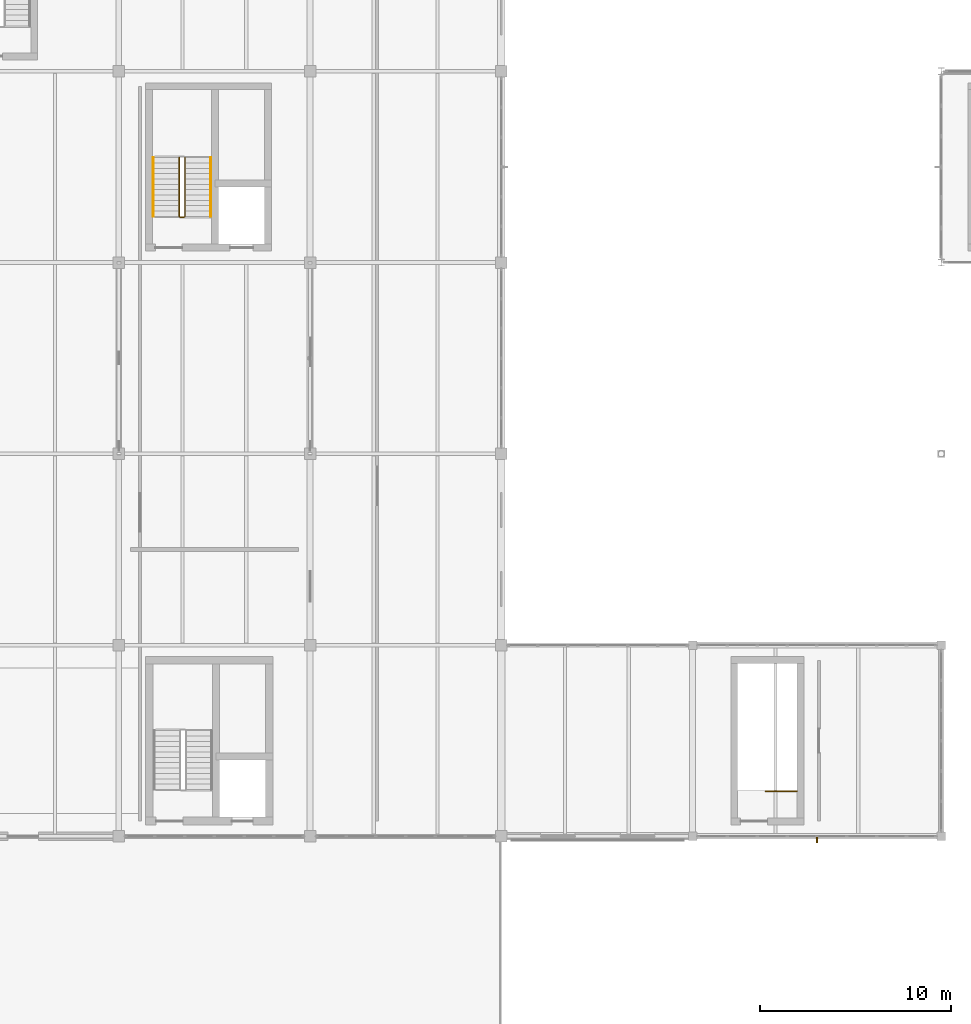
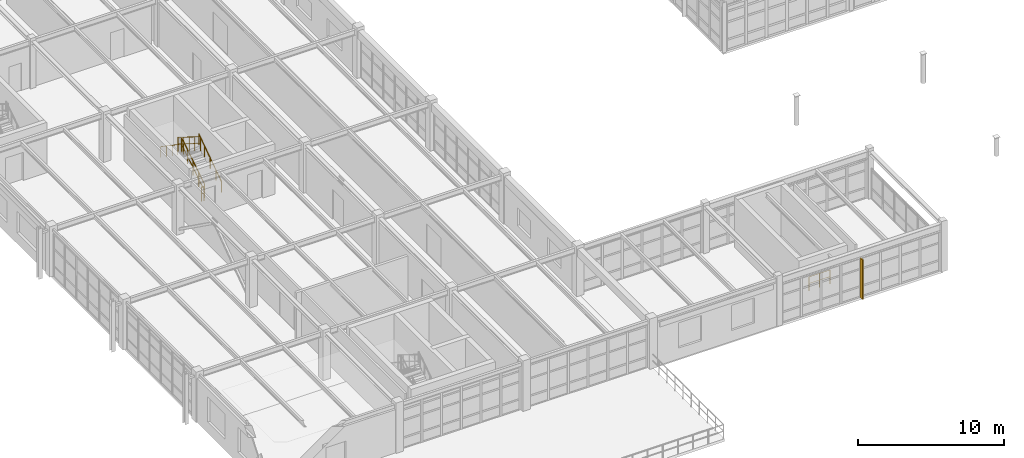
# One storey, part 113 of 122: 6 railings, 1 shading device.
"""IFC4 building model written with IfcOpenShell, lengths in metres."""

from ifc_helpers import new_model, si_unit, direction, frame, origin, origin_2d, place, context, subcontext, project, spatial, rectangle, circle, extrude, material, type_object, element, save


model = new_model("IFC4")

# Units and contexts
model_context = context("Model", 3, precision=1e-05, world=origin(), true_north=direction((0.0, 1.0)))
body_context = subcontext(model_context, "Body", "Model", "MODEL_VIEW")
ifc_project = project(units=[si_unit("LENGTHUNIT", "METRE"), si_unit("AREAUNIT", "SQUARE_METRE"), si_unit("VOLUMEUNIT", "CUBIC_METRE"), si_unit("PLANEANGLEUNIT", "RADIAN"), si_unit("MASSUNIT", "GRAM", prefix="KILO"), si_unit("THERMODYNAMICTEMPERATUREUNIT", "KELVIN"), si_unit("POWERUNIT", "WATT")], contexts=[model_context])

# Site, building, storey
site_placement = place(None, origin())
site = spatial("IfcSite", under=ifc_project, at=site_placement, CompositionType="ELEMENT")
building_placement = place(site_placement, origin())
building = spatial("IfcBuilding", under=site, at=building_placement, Name="Korenveer Ferry Terminal", CompositionType="ELEMENT")
storey_placement = place(building_placement, frame((0.0, 0.0, 10.199951171875)))
storey = spatial("IfcBuildingStorey", under=building, at=storey_placement, Name="L02", CompositionType="ELEMENT", Elevation=10.199951171875)

# Shading device
ifc_material_1 = material(Name="Anodised bronze aluminium solar fin", Category="aluminium")
shading_device_type = type_object("IfcShadingDeviceType", Name="ENV-SHD-FIN", PredefinedType="JALOUSIE", material=ifc_material_1)
shading_device_placement = place(storey_placement, frame((46.5, 19.840087890625, -0.02001953125), z_axis=(0.0, 0.0, 1.0), x_axis=(0.0, 1.0, 0.0)))
element("IfcShadingDevice", 1, at=shading_device_placement, inside=storey, type_object=shading_device_type, Name="Gothic solar fin 38", PredefinedType="JALOUSIE", context=body_context, shape_type="SweptSolid", body=[
    extrude(rectangle(XDim=0.360107421875, YDim=0.080078125, at=origin_2d()), origin(), (0.0, 0.0, 1.0), 3.300048828125),
])

# Railings
ifc_material_2 = material(Name="Brushed stainless steel handrail", Category="steel")
railing_type_1 = type_object("IfcRailingType", Name="INT-RL-HND90", PredefinedType="HANDRAIL", material=ifc_material_2)
railing_1_placement = place(storey_placement, frame((14.81005859375, 52.409912109375, 0.175048828125)))
element("IfcRailing", 2, at=railing_1_placement, inside=storey, type_object=railing_type_1, Name="L02 ST02 stair handrail 1", PredefinedType="HANDRAIL", context=body_context, shape_type="SweptSolid", body=[
    extrude(circle(Radius=0.02392578125, at=origin_2d()), frame((0.0, 0.0, 0.8759765625), z_axis=(0.0, 0.826221800596, 0.563344953133), x_axis=(-1.0, 0.0, 0.0)), (0.0, 0.0, 1.0), 3.72802734375),
    extrude(circle(Radius=0.02099609375, at=origin_2d()), origin(), (0.0, 0.0, 1.0), 0.851806640625),
    extrude(circle(Radius=0.02099609375, at=origin_2d()), frame((0.0, 0.77001953125, 0.52490234375)), (0.0, 0.0, 1.0), 0.851806640625),
    extrude(circle(Radius=0.02099609375, at=origin_2d()), frame((0.0, 1.5400390625, 1.050048828125)), (0.0, 0.0, 1.0), 0.851806640625),
    extrude(circle(Radius=0.02099609375, at=origin_2d()), frame((0.0, 2.31005859375, 1.5751953125)), (0.0, 0.0, 1.0), 0.851806640625),
    extrude(circle(Radius=0.02099609375, at=origin_2d()), frame((0.0, 3.080078125, 2.10009765625)), (0.0, 0.0, 1.0), 0.851806640625),
])
railing_2_placement = place(storey_placement, frame((11.81005859375, 55.489990234375, 2.275146484375)))
element("IfcRailing", 3, at=railing_2_placement, inside=storey, type_object=railing_type_1, Name="L02 ST02 stair handrail 2", PredefinedType="HANDRAIL", context=body_context, shape_type="SweptSolid", body=[
    extrude(circle(Radius=0.02392578125, at=origin_2d()), frame((0.0, 0.0, 0.8759765625), z_axis=(0.0, -0.826252282691, 0.563300244406), x_axis=(1.0, 0.0, 0.0)), (0.0, 0.0, 1.0), 3.727783203125),
    extrude(circle(Radius=0.02099609375, at=origin_2d()), origin(), (0.0, 0.0, 1.0), 0.851806640625),
    extrude(circle(Radius=0.02099609375, at=origin_2d()), frame((0.0, -0.77001953125, 0.52490234375)), (0.0, 0.0, 1.0), 0.851806640625),
    extrude(circle(Radius=0.02099609375, at=origin_2d()), frame((0.0, -1.5400390625, 1.0498046875)), (0.0, 0.0, 1.0), 0.851806640625),
    extrude(circle(Radius=0.02099609375, at=origin_2d()), frame((0.0, -2.31005859375, 1.574951171875)), (0.0, 0.0, 1.0), 0.851806640625),
    extrude(circle(Radius=0.02099609375, at=origin_2d()), frame((0.0, -3.080078125, 2.099853515625)), (0.0, 0.0, 1.0), 0.851806640625),
])
ifc_material_3 = material(Name="Painted steel stair guard", Category="steel")
railing_type_2 = type_object("IfcRailingType", Name="INT-RL-STGRD", PredefinedType="GUARDRAIL", material=ifc_material_3)
railing_3_placement = place(storey_placement, frame((13.4599609375, 52.409912109375, 0.175048828125)))
element("IfcRailing", 4, at=railing_3_placement, inside=storey, type_object=railing_type_2, Name="L02 ST02 stair guard 1", PredefinedType="GUARDRAIL", context=body_context, shape_type="SweptSolid", body=[
    extrude(circle(Radius=0.02392578125, at=origin_2d()), frame((0.0, 0.0, 1.17578125), z_axis=(0.0, 0.847998304005, 0.529998940003), x_axis=(-1.0, 0.0, 0.0)), (0.0, 0.0, 1.0), 3.632080078125),
    extrude(circle(Radius=0.01806640625, at=origin_2d()), frame((0.0, 0.0, 0.6240234375), z_axis=(0.0, 0.847998304005, 0.529998940003), x_axis=(-1.0, 0.0, 0.0)), (0.0, 0.0, 1.0), 3.632080078125),
    extrude(circle(Radius=0.02099609375, at=origin_2d()), origin(), (0.0, 0.0, 1.0), 1.15185546875),
    extrude(circle(Radius=0.02099609375, at=origin_2d()), frame((0.0, 0.77001953125, 0.481201171875)), (0.0, 0.0, 1.0), 1.15185546875),
    extrude(circle(Radius=0.02099609375, at=origin_2d()), frame((0.0, 1.5400390625, 0.96240234375)), (0.0, 0.0, 1.0), 1.15185546875),
    extrude(circle(Radius=0.02099609375, at=origin_2d()), frame((0.0, 2.31005859375, 1.44384765625)), (0.0, 0.0, 1.0), 1.15185546875),
    extrude(circle(Radius=0.02099609375, at=origin_2d()), frame((0.0, 3.080078125, 1.925048828125)), (0.0, 0.0, 1.0), 1.15185546875),
])
railing_4_placement = place(storey_placement, frame((13.159912109375, 55.489990234375, 2.275146484375)))
element("IfcRailing", 5, at=railing_4_placement, inside=storey, type_object=railing_type_2, Name="L02 ST02 stair guard 3", PredefinedType="GUARDRAIL", context=body_context, shape_type="SweptSolid", body=[
    extrude(circle(Radius=0.02392578125, at=origin_2d()), frame((0.0, 0.0, 1.17578125), z_axis=(0.0, -0.848028513186, 0.529950602248), x_axis=(1.0, 0.0, 0.0)), (0.0, 0.0, 1.0), 3.632080078125),
    extrude(circle(Radius=0.01806640625, at=origin_2d()), frame((0.0, 0.0, 0.6240234375), z_axis=(0.0, -0.848028513186, 0.529950602248), x_axis=(1.0, 0.0, 0.0)), (0.0, 0.0, 1.0), 3.632080078125),
    extrude(circle(Radius=0.02099609375, at=origin_2d()), origin(), (0.0, 0.0, 1.0), 1.15185546875),
    extrude(circle(Radius=0.02099609375, at=origin_2d()), frame((0.0, -0.77001953125, 0.481201171875)), (0.0, 0.0, 1.0), 1.15185546875),
    extrude(circle(Radius=0.02099609375, at=origin_2d()), frame((0.0, -1.5400390625, 0.96240234375)), (0.0, 0.0, 1.0), 1.15185546875),
    extrude(circle(Radius=0.02099609375, at=origin_2d()), frame((0.0, -2.31005859375, 1.443603515625)), (0.0, 0.0, 1.0), 1.15185546875),
    extrude(circle(Radius=0.02099609375, at=origin_2d()), frame((0.0, -3.080078125, 1.9248046875)), (0.0, 0.0, 1.0), 1.15185546875),
])
railing_5_placement = place(storey_placement, frame((13.409912109375, 52.360107421875, 0.0)))
element("IfcRailing", 6, at=railing_5_placement, inside=storey, type_object=railing_type_2, Name="L02 ST02 stair guard 4", PredefinedType="GUARDRAIL", context=body_context, shape_type="SweptSolid", body=[
    extrude(circle(Radius=0.02392578125, at=origin_2d()), frame((0.0, 0.0, 1.17578125), z_axis=(-1.0, 0.0, 0.0), x_axis=(0.0, -1.0, 0.0)), (0.0, 0.0, 1.0), 0.199951171875),
    extrude(circle(Radius=0.01806640625, at=origin_2d()), frame((0.0, 0.0, 0.6240234375), z_axis=(-1.0, 0.0, 0.0), x_axis=(0.0, -1.0, 0.0)), (0.0, 0.0, 1.0), 0.199951171875),
    extrude(circle(Radius=0.02099609375, at=origin_2d()), origin(), (0.0, 0.0, 1.0), 1.15185546875),
    extrude(circle(Radius=0.02099609375, at=origin_2d()), frame((-0.199951171875, 0.0, 0.0)), (0.0, 0.0, 1.0), 1.15185546875),
])
railing_6_placement = place(storey_placement, frame((45.4599609375, 22.360107421875, 0.0)))
element("IfcRailing", 7, at=railing_6_placement, inside=storey, type_object=railing_type_2, Name="L02 ST09 top well guard 1", PredefinedType="GUARDRAIL", context=body_context, shape_type="SweptSolid", body=[
    extrude(circle(Radius=0.02392578125, at=origin_2d()), frame((0.0, 0.0, 1.17578125), z_axis=(-1.0, 0.0, 0.0), x_axis=(0.0, -1.0, 0.0)), (0.0, 0.0, 1.0), 1.64990234375),
    extrude(circle(Radius=0.01806640625, at=origin_2d()), frame((0.0, 0.0, 0.6240234375), z_axis=(-1.0, 0.0, 0.0), x_axis=(0.0, -1.0, 0.0)), (0.0, 0.0, 1.0), 1.64990234375),
    extrude(circle(Radius=0.02099609375, at=origin_2d()), origin(), (0.0, 0.0, 1.0), 1.15185546875),
    extrude(circle(Radius=0.02099609375, at=origin_2d()), frame((-0.824951171875, 0.0, 0.0)), (0.0, 0.0, 1.0), 1.15185546875),
    extrude(circle(Radius=0.02099609375, at=origin_2d()), frame((-1.64990234375, 0.0, 0.0)), (0.0, 0.0, 1.0), 1.15185546875),
])

save(model, "model.ifc")
